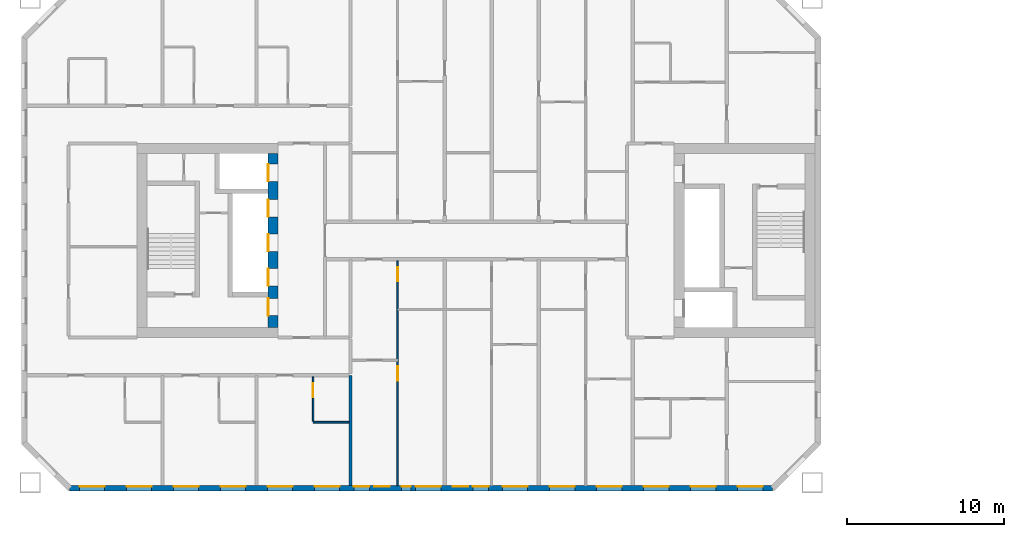
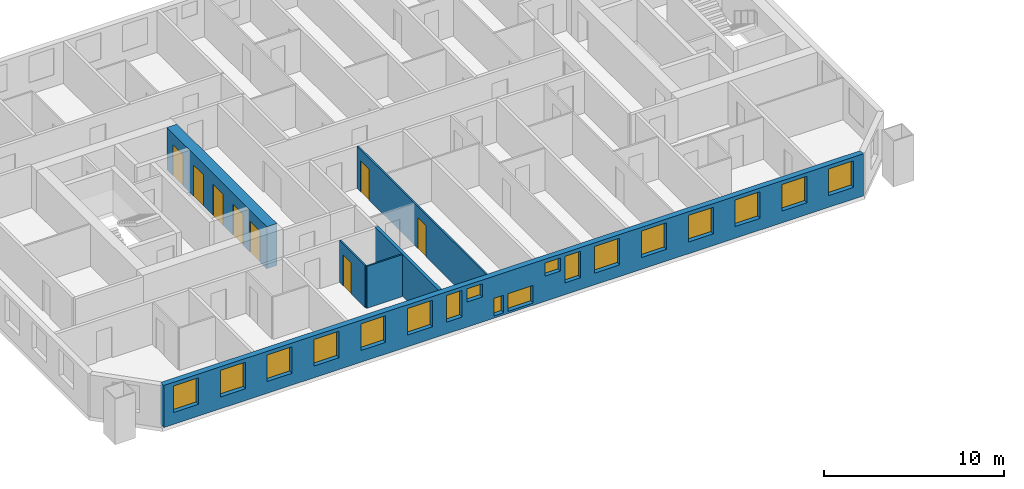
# One storey, part 3 of 16: 18 windows, 8 doors, 6 walls, 26 openings.
"""IFC4 building model written with IfcOpenShell, lengths in metres."""

from ifc_helpers import new_model, si_unit, direction, frame, frame_2d, origin, place, context, subcontext, project, spatial, rectangle, extrude, material, layer, layer_set, type_object, element, fill, save


model = new_model("IFC4")

# Units and contexts
model_context = context("Model", 3, precision=1e-05, world=origin(), true_north=direction((0.0, 1.0)))
body_context = subcontext(model_context, "Body", "Model", "MODEL_VIEW")
ifc_project = project(units=[si_unit("LENGTHUNIT", "METRE"), si_unit("AREAUNIT", "SQUARE_METRE"), si_unit("VOLUMEUNIT", "CUBIC_METRE"), si_unit("PLANEANGLEUNIT", "RADIAN"), si_unit("MASSUNIT", "GRAM", prefix="KILO")], contexts=[model_context])

# Site, building, storey
site_placement = place(None, origin())
site = spatial("IfcSite", under=ifc_project, at=site_placement, CompositionType="ELEMENT")
building_placement = place(site_placement, origin())
building = spatial("IfcBuilding", under=site, at=building_placement, Name="Tuart Gate Housing", CompositionType="ELEMENT")
storey_placement = place(building_placement, frame((0.0, 0.0, 111.89990234375)))
storey = spatial("IfcBuildingStorey", under=building, at=storey_placement, Name="L31", CompositionType="ELEMENT", Elevation=111.89990234375)

# Wall, openings, windows
ifc_material_1 = material(Name="Brick", Category="masonry")
ifc_layer_1 = layer(ifc_material_1, 0.360107421875)
ifc_layer_set_1 = layer_set([ifc_layer_1], Name="Brick pier and spandrel wall 360")
wall_type_1 = type_object("IfcWallType", Name="Brick pier and spandrel wall 360", PredefinedType="STANDARD", material=ifc_layer_set_1)
wall_1_placement = place(storey_placement, frame((28.07470703125, 54.179931640625, 0.0), z_axis=(0.0, 0.0, 1.0), x_axis=(1.0, 0.0, 0.0)))
wall_1 = element("IfcWall", 1, at=wall_1_placement, inside=storey, type_object=wall_type_1, Name="External wall A-S L31", PredefinedType="STANDARD", context=body_context, shape_type="SweptSolid", body=[
    extrude(rectangle(XDim=44.850830078125, YDim=0.360107421875, at=frame_2d((22.42529296875, 0.0))), origin(), (0.0, 0.0, 1.0), 2.85009765625),
])
opening_1_placement = place(wall_1_placement, frame((0.62548828125, 0.0, 0.800048828125)))
opening_1 = element("IfcOpeningElement", 2, at=opening_1_placement, cuts=wall_1, Name="Opening W1", PredefinedType="OPENING", context=body_context, shape_type="SweptSolid", body=[
    extrude(rectangle(XDim=1.60009765625, YDim=1.800048828125, at=frame_2d((0.800048828125, 0.89990234375))), frame((0.0, 0.18994140625, 0.0), z_axis=(0.0, -1.0, 0.0), x_axis=(1.0, 0.0, 0.0)), (0.0, 0.0, 1.0), 0.380126953125),
])
opening_2_placement = place(wall_1_placement, frame((3.62548828125, 0.0, 0.800048828125)))
opening_2 = element("IfcOpeningElement", 3, at=opening_2_placement, cuts=wall_1, Name="Opening W1", PredefinedType="OPENING", context=body_context, shape_type="SweptSolid", body=[
    extrude(rectangle(XDim=1.60009765625, YDim=1.800048828125, at=frame_2d((0.800048828125, 0.89990234375))), frame((0.0, 0.18994140625, 0.0), z_axis=(0.0, -1.0, 0.0), x_axis=(1.0, 0.0, 0.0)), (0.0, 0.0, 1.0), 0.380126953125),
])
opening_3_placement = place(wall_1_placement, frame((6.62548828125, 0.0, 0.800048828125)))
opening_3 = element("IfcOpeningElement", 4, at=opening_3_placement, cuts=wall_1, Name="Opening W1", PredefinedType="OPENING", context=body_context, shape_type="SweptSolid", body=[
    extrude(rectangle(XDim=1.60009765625, YDim=1.800048828125, at=frame_2d((0.800048828125, 0.89990234375))), frame((0.0, 0.18994140625, 0.0), z_axis=(0.0, -1.0, 0.0), x_axis=(1.0, 0.0, 0.0)), (0.0, 0.0, 1.0), 0.380126953125),
])
opening_4_placement = place(wall_1_placement, frame((9.62548828125, 0.0, 0.800048828125)))
opening_4 = element("IfcOpeningElement", 5, at=opening_4_placement, cuts=wall_1, Name="Opening W1", PredefinedType="OPENING", context=body_context, shape_type="SweptSolid", body=[
    extrude(rectangle(XDim=1.60009765625, YDim=1.800048828125, at=frame_2d((0.800048828125, 0.89990234375))), frame((0.0, 0.18994140625, 0.0), z_axis=(0.0, -1.0, 0.0), x_axis=(1.0, 0.0, 0.0)), (0.0, 0.0, 1.0), 0.380126953125),
])
opening_5_placement = place(wall_1_placement, frame((12.62548828125, 0.0, 0.800048828125)))
opening_5 = element("IfcOpeningElement", 6, at=opening_5_placement, cuts=wall_1, Name="Opening W1", PredefinedType="OPENING", context=body_context, shape_type="SweptSolid", body=[
    extrude(rectangle(XDim=1.60009765625, YDim=1.800048828125, at=frame_2d((0.800048828125, 0.89990234375))), frame((0.0, 0.18994140625, 0.0), z_axis=(0.0, -1.0, 0.0), x_axis=(1.0, 0.0, 0.0)), (0.0, 0.0, 1.0), 0.380126953125),
])
opening_6_placement = place(wall_1_placement, frame((15.62548828125, 0.0, 0.800048828125)))
opening_6 = element("IfcOpeningElement", 7, at=opening_6_placement, cuts=wall_1, Name="Opening W1", PredefinedType="OPENING", context=body_context, shape_type="SweptSolid", body=[
    extrude(rectangle(XDim=1.60009765625, YDim=1.800048828125, at=frame_2d((0.800048828125, 0.89990234375))), frame((0.0, 0.18994140625, 0.0), z_axis=(0.0, -1.0, 0.0), x_axis=(1.0, 0.0, 0.0)), (0.0, 0.0, 1.0), 0.380126953125),
])
opening_7_placement = place(wall_1_placement, frame((18.12548828125, 0.0, 0.800048828125)))
opening_7 = element("IfcOpeningElement", 8, at=opening_7_placement, cuts=wall_1, Name="Opening W1C", PredefinedType="OPENING", context=body_context, shape_type="SweptSolid", body=[
    extrude(rectangle(XDim=1.0, YDim=1.800048828125, at=frame_2d((0.5, 0.89990234375))), frame((0.0, 0.18994140625, 0.0), z_axis=(0.0, -1.0, 0.0), x_axis=(1.0, 0.0, 0.0)), (0.0, 0.0, 1.0), 0.380126953125),
])
opening_8_placement = place(wall_1_placement, frame((21.17529296875, 0.0, 0.14990234375)))
opening_8 = element("IfcOpeningElement", 9, at=opening_8_placement, cuts=wall_1, Name="Opening W1Q", PredefinedType="OPENING", context=body_context, shape_type="SweptSolid", body=[
    extrude(rectangle(XDim=0.60009765625, YDim=1.199951171875, at=frame_2d((0.300048828125, 0.60009765625))), frame((0.0, 0.18994140625, 0.0), z_axis=(0.0, -1.0, 0.0), x_axis=(1.0, 0.0, 0.0)), (0.0, 0.0, 1.0), 0.380126953125),
])
opening_9_placement = place(wall_1_placement, frame((24.42529296875, 0.0, 1.699951171875)))
opening_9 = element("IfcOpeningElement", 10, at=opening_9_placement, cuts=wall_1, Name="Opening W1U", PredefinedType="OPENING", context=body_context, shape_type="SweptSolid", body=[
    extrude(rectangle(XDim=1.0, YDim=0.89990234375, at=frame_2d((0.5, 0.449951171875))), frame((0.0, 0.18994140625, 0.0), z_axis=(0.0, -1.0, 0.0), x_axis=(1.0, 0.0, 0.0)), (0.0, 0.0, 1.0), 0.380126953125),
])
opening_10_placement = place(wall_1_placement, frame((27.62548828125, 0.0, 0.800048828125)))
opening_10 = element("IfcOpeningElement", 11, at=opening_10_placement, cuts=wall_1, Name="Opening W1", PredefinedType="OPENING", context=body_context, shape_type="SweptSolid", body=[
    extrude(rectangle(XDim=1.60009765625, YDim=1.800048828125, at=frame_2d((0.800048828125, 0.89990234375))), frame((0.0, 0.18994140625, 0.0), z_axis=(0.0, -1.0, 0.0), x_axis=(1.0, 0.0, 0.0)), (0.0, 0.0, 1.0), 0.380126953125),
])
opening_11_placement = place(wall_1_placement, frame((30.62548828125, 0.0, 0.800048828125)))
opening_11 = element("IfcOpeningElement", 12, at=opening_11_placement, cuts=wall_1, Name="Opening W1", PredefinedType="OPENING", context=body_context, shape_type="SweptSolid", body=[
    extrude(rectangle(XDim=1.60009765625, YDim=1.800048828125, at=frame_2d((0.800048828125, 0.89990234375))), frame((0.0, 0.18994140625, 0.0), z_axis=(0.0, -1.0, 0.0), x_axis=(1.0, 0.0, 0.0)), (0.0, 0.0, 1.0), 0.380126953125),
])
opening_12_placement = place(wall_1_placement, frame((33.62548828125, 0.0, 0.800048828125)))
opening_12 = element("IfcOpeningElement", 13, at=opening_12_placement, cuts=wall_1, Name="Opening W1", PredefinedType="OPENING", context=body_context, shape_type="SweptSolid", body=[
    extrude(rectangle(XDim=1.60009765625, YDim=1.800048828125, at=frame_2d((0.800048828125, 0.89990234375))), frame((0.0, 0.18994140625, 0.0), z_axis=(0.0, -1.0, 0.0), x_axis=(1.0, 0.0, 0.0)), (0.0, 0.0, 1.0), 0.380126953125),
])
opening_13_placement = place(wall_1_placement, frame((36.62548828125, 0.0, 0.800048828125)))
opening_13 = element("IfcOpeningElement", 14, at=opening_13_placement, cuts=wall_1, Name="Opening W1", PredefinedType="OPENING", context=body_context, shape_type="SweptSolid", body=[
    extrude(rectangle(XDim=1.60009765625, YDim=1.800048828125, at=frame_2d((0.800048828125, 0.89990234375))), frame((0.0, 0.18994140625, 0.0), z_axis=(0.0, -1.0, 0.0), x_axis=(1.0, 0.0, 0.0)), (0.0, 0.0, 1.0), 0.380126953125),
])
opening_14_placement = place(wall_1_placement, frame((39.62548828125, 0.0, 0.800048828125)))
opening_14 = element("IfcOpeningElement", 15, at=opening_14_placement, cuts=wall_1, Name="Opening W1", PredefinedType="OPENING", context=body_context, shape_type="SweptSolid", body=[
    extrude(rectangle(XDim=1.60009765625, YDim=1.800048828125, at=frame_2d((0.800048828125, 0.89990234375))), frame((0.0, 0.18994140625, 0.0), z_axis=(0.0, -1.0, 0.0), x_axis=(1.0, 0.0, 0.0)), (0.0, 0.0, 1.0), 0.380126953125),
])
opening_15_placement = place(wall_1_placement, frame((42.62548828125, 0.0, 0.800048828125)))
opening_15 = element("IfcOpeningElement", 16, at=opening_15_placement, cuts=wall_1, Name="Opening W1", PredefinedType="OPENING", context=body_context, shape_type="SweptSolid", body=[
    extrude(rectangle(XDim=1.60009765625, YDim=1.800048828125, at=frame_2d((0.800048828125, 0.89990234375))), frame((0.0, 0.18994140625, 0.0), z_axis=(0.0, -1.0, 0.0), x_axis=(1.0, 0.0, 0.0)), (0.0, 0.0, 1.0), 0.380126953125),
])
opening_16_placement = place(wall_1_placement, frame((19.42529296875, 0.0, 1.699951171875)))
opening_16 = element("IfcOpeningElement", 17, at=opening_16_placement, cuts=wall_1, Name="Opening W1U", PredefinedType="OPENING", context=body_context, shape_type="SweptSolid", body=[
    extrude(rectangle(XDim=1.0, YDim=0.89990234375, at=frame_2d((0.5, 0.449951171875))), frame((0.0, 0.18994140625, 0.0), z_axis=(0.0, -1.0, 0.0), x_axis=(1.0, 0.0, 0.0)), (0.0, 0.0, 1.0), 0.380126953125),
])
opening_17_placement = place(wall_1_placement, frame((22.075439453125, 0.0, 0.14990234375)))
opening_17 = element("IfcOpeningElement", 18, at=opening_17_placement, cuts=wall_1, Name="Opening W1L", PredefinedType="OPENING", context=body_context, shape_type="SweptSolid", body=[
    extrude(rectangle(XDim=1.60009765625, YDim=1.199951171875, at=frame_2d((0.800048828125, 0.60009765625))), frame((0.0, 0.18994140625, 0.0), z_axis=(0.0, -1.0, 0.0), x_axis=(1.0, 0.0, 0.0)), (0.0, 0.0, 1.0), 0.380126953125),
])
opening_18_placement = place(wall_1_placement, frame((25.725341796875, 0.0, 0.800048828125)))
opening_18 = element("IfcOpeningElement", 19, at=opening_18_placement, cuts=wall_1, Name="Opening W1C", PredefinedType="OPENING", context=body_context, shape_type="SweptSolid", body=[
    extrude(rectangle(XDim=1.0, YDim=1.800048828125, at=frame_2d((0.5, 0.89990234375))), frame((0.0, 0.18994140625, 0.0), z_axis=(0.0, -1.0, 0.0), x_axis=(1.0, 0.0, 0.0)), (0.0, 0.0, 1.0), 0.380126953125),
])
ifc_material_2 = material(Name="Aluminium frame with clear glass", Category="aluminium")
window_type_1 = type_object("IfcWindowType", Name="Punched window 1000 x 1800", PartitioningType="SINGLE_PANEL", PredefinedType="WINDOW", material=ifc_material_2)
window_1_placement = place(opening_7_placement, origin())
window_1 = element("IfcWindow", 20, at=window_1_placement, inside=storey, type_object=window_type_1, Name="Window W1C", OverallHeight=1.800048828125, OverallWidth=1.0, PartitioningType="SINGLE_PANEL", PredefinedType="WINDOW", context=body_context, shape_type="SweptSolid", body=[
    extrude(rectangle(XDim=1.0, YDim=1.800048828125, at=frame_2d((0.5, 0.89990234375))), frame((0.0, 0.150146484375, 0.0), z_axis=(0.0, -1.0, 0.0), x_axis=(1.0, 0.0, 0.0)), (0.0, 0.0, 1.0), 0.06005859375),
])
fill(opening_7, window_1)
window_2_placement = place(opening_18_placement, origin())
window_2 = element("IfcWindow", 21, at=window_2_placement, inside=storey, type_object=window_type_1, Name="Window W1C", OverallHeight=1.800048828125, OverallWidth=1.0, PartitioningType="SINGLE_PANEL", PredefinedType="WINDOW", context=body_context, shape_type="SweptSolid", body=[
    extrude(rectangle(XDim=1.0, YDim=1.800048828125, at=frame_2d((0.5, 0.89990234375))), frame((0.0, 0.150146484375, 0.0), z_axis=(0.0, -1.0, 0.0), x_axis=(1.0, 0.0, 0.0)), (0.0, 0.0, 1.0), 0.06005859375),
])
fill(opening_18, window_2)
ifc_material_3 = material(Name="Aluminium frame with clear glass", Category="aluminium")
window_type_2 = type_object("IfcWindowType", Name="Punched window 1000 x 900", PartitioningType="SINGLE_PANEL", PredefinedType="WINDOW", material=ifc_material_3)
window_3_placement = place(opening_9_placement, origin())
window_3 = element("IfcWindow", 22, at=window_3_placement, inside=storey, type_object=window_type_2, Name="Window W1U", OverallHeight=0.89990234375, OverallWidth=1.0, PartitioningType="SINGLE_PANEL", PredefinedType="WINDOW", context=body_context, shape_type="SweptSolid", body=[
    extrude(rectangle(XDim=1.0, YDim=0.89990234375, at=frame_2d((0.5, 0.449951171875))), frame((0.0, 0.150146484375, 0.0), z_axis=(0.0, -1.0, 0.0), x_axis=(1.0, 0.0, 0.0)), (0.0, 0.0, 1.0), 0.06005859375),
])
fill(opening_9, window_3)
window_4_placement = place(opening_16_placement, origin())
window_4 = element("IfcWindow", 23, at=window_4_placement, inside=storey, type_object=window_type_2, Name="Window W1U", OverallHeight=0.89990234375, OverallWidth=1.0, PartitioningType="SINGLE_PANEL", PredefinedType="WINDOW", context=body_context, shape_type="SweptSolid", body=[
    extrude(rectangle(XDim=1.0, YDim=0.89990234375, at=frame_2d((0.5, 0.449951171875))), frame((0.0, 0.150146484375, 0.0), z_axis=(0.0, -1.0, 0.0), x_axis=(1.0, 0.0, 0.0)), (0.0, 0.0, 1.0), 0.06005859375),
])
fill(opening_16, window_4)
ifc_material_4 = material(Name="Aluminium frame with clear glass", Category="aluminium")
window_type_3 = type_object("IfcWindowType", Name="Punched window 1600 x 1200", PartitioningType="SINGLE_PANEL", PredefinedType="WINDOW", material=ifc_material_4)
window_5_placement = place(opening_17_placement, origin())
window_5 = element("IfcWindow", 24, at=window_5_placement, inside=storey, type_object=window_type_3, Name="Window W1L", OverallHeight=1.199951171875, OverallWidth=1.60009765625, PartitioningType="SINGLE_PANEL", PredefinedType="WINDOW", context=body_context, shape_type="SweptSolid", body=[
    extrude(rectangle(XDim=1.60009765625, YDim=1.199951171875, at=frame_2d((0.800048828125, 0.60009765625))), frame((0.0, 0.150146484375, 0.0), z_axis=(0.0, -1.0, 0.0), x_axis=(1.0, 0.0, 0.0)), (0.0, 0.0, 1.0), 0.06005859375),
])
fill(opening_17, window_5)
ifc_material_5 = material(Name="Aluminium frame with clear glass", Category="aluminium")
window_type_4 = type_object("IfcWindowType", Name="Punched window 1600 x 1800", PartitioningType="SINGLE_PANEL", PredefinedType="WINDOW", material=ifc_material_5)
window_6_placement = place(opening_1_placement, origin())
window_6 = element("IfcWindow", 25, at=window_6_placement, inside=storey, type_object=window_type_4, Name="Window W1", OverallHeight=1.800048828125, OverallWidth=1.60009765625, PartitioningType="SINGLE_PANEL", PredefinedType="WINDOW", context=body_context, shape_type="SweptSolid", body=[
    extrude(rectangle(XDim=1.60009765625, YDim=1.800048828125, at=frame_2d((0.800048828125, 0.89990234375))), frame((0.0, 0.150146484375, 0.0), z_axis=(0.0, -1.0, 0.0), x_axis=(1.0, 0.0, 0.0)), (0.0, 0.0, 1.0), 0.06005859375),
])
fill(opening_1, window_6)
window_7_placement = place(opening_2_placement, origin())
window_7 = element("IfcWindow", 26, at=window_7_placement, inside=storey, type_object=window_type_4, Name="Window W1", OverallHeight=1.800048828125, OverallWidth=1.60009765625, PartitioningType="SINGLE_PANEL", PredefinedType="WINDOW", context=body_context, shape_type="SweptSolid", body=[
    extrude(rectangle(XDim=1.60009765625, YDim=1.800048828125, at=frame_2d((0.800048828125, 0.89990234375))), frame((0.0, 0.150146484375, 0.0), z_axis=(0.0, -1.0, 0.0), x_axis=(1.0, 0.0, 0.0)), (0.0, 0.0, 1.0), 0.06005859375),
])
fill(opening_2, window_7)
window_8_placement = place(opening_3_placement, origin())
window_8 = element("IfcWindow", 27, at=window_8_placement, inside=storey, type_object=window_type_4, Name="Window W1", OverallHeight=1.800048828125, OverallWidth=1.60009765625, PartitioningType="SINGLE_PANEL", PredefinedType="WINDOW", context=body_context, shape_type="SweptSolid", body=[
    extrude(rectangle(XDim=1.60009765625, YDim=1.800048828125, at=frame_2d((0.800048828125, 0.89990234375))), frame((0.0, 0.150146484375, 0.0), z_axis=(0.0, -1.0, 0.0), x_axis=(1.0, 0.0, 0.0)), (0.0, 0.0, 1.0), 0.06005859375),
])
fill(opening_3, window_8)
window_9_placement = place(opening_4_placement, origin())
window_9 = element("IfcWindow", 28, at=window_9_placement, inside=storey, type_object=window_type_4, Name="Window W1", OverallHeight=1.800048828125, OverallWidth=1.60009765625, PartitioningType="SINGLE_PANEL", PredefinedType="WINDOW", context=body_context, shape_type="SweptSolid", body=[
    extrude(rectangle(XDim=1.60009765625, YDim=1.800048828125, at=frame_2d((0.800048828125, 0.89990234375))), frame((0.0, 0.150146484375, 0.0), z_axis=(0.0, -1.0, 0.0), x_axis=(1.0, 0.0, 0.0)), (0.0, 0.0, 1.0), 0.06005859375),
])
fill(opening_4, window_9)
window_10_placement = place(opening_5_placement, origin())
window_10 = element("IfcWindow", 29, at=window_10_placement, inside=storey, type_object=window_type_4, Name="Window W1", OverallHeight=1.800048828125, OverallWidth=1.60009765625, PartitioningType="SINGLE_PANEL", PredefinedType="WINDOW", context=body_context, shape_type="SweptSolid", body=[
    extrude(rectangle(XDim=1.60009765625, YDim=1.800048828125, at=frame_2d((0.800048828125, 0.89990234375))), frame((0.0, 0.150146484375, 0.0), z_axis=(0.0, -1.0, 0.0), x_axis=(1.0, 0.0, 0.0)), (0.0, 0.0, 1.0), 0.06005859375),
])
fill(opening_5, window_10)
window_11_placement = place(opening_6_placement, origin())
window_11 = element("IfcWindow", 30, at=window_11_placement, inside=storey, type_object=window_type_4, Name="Window W1", OverallHeight=1.800048828125, OverallWidth=1.60009765625, PartitioningType="SINGLE_PANEL", PredefinedType="WINDOW", context=body_context, shape_type="SweptSolid", body=[
    extrude(rectangle(XDim=1.60009765625, YDim=1.800048828125, at=frame_2d((0.800048828125, 0.89990234375))), frame((0.0, 0.150146484375, 0.0), z_axis=(0.0, -1.0, 0.0), x_axis=(1.0, 0.0, 0.0)), (0.0, 0.0, 1.0), 0.06005859375),
])
fill(opening_6, window_11)
window_12_placement = place(opening_10_placement, origin())
window_12 = element("IfcWindow", 31, at=window_12_placement, inside=storey, type_object=window_type_4, Name="Window W1", OverallHeight=1.800048828125, OverallWidth=1.60009765625, PartitioningType="SINGLE_PANEL", PredefinedType="WINDOW", context=body_context, shape_type="SweptSolid", body=[
    extrude(rectangle(XDim=1.60009765625, YDim=1.800048828125, at=frame_2d((0.800048828125, 0.89990234375))), frame((0.0, 0.150146484375, 0.0), z_axis=(0.0, -1.0, 0.0), x_axis=(1.0, 0.0, 0.0)), (0.0, 0.0, 1.0), 0.06005859375),
])
fill(opening_10, window_12)
window_13_placement = place(opening_11_placement, origin())
window_13 = element("IfcWindow", 32, at=window_13_placement, inside=storey, type_object=window_type_4, Name="Window W1", OverallHeight=1.800048828125, OverallWidth=1.60009765625, PartitioningType="SINGLE_PANEL", PredefinedType="WINDOW", context=body_context, shape_type="SweptSolid", body=[
    extrude(rectangle(XDim=1.60009765625, YDim=1.800048828125, at=frame_2d((0.800048828125, 0.89990234375))), frame((0.0, 0.150146484375, 0.0), z_axis=(0.0, -1.0, 0.0), x_axis=(1.0, 0.0, 0.0)), (0.0, 0.0, 1.0), 0.06005859375),
])
fill(opening_11, window_13)
window_14_placement = place(opening_12_placement, origin())
window_14 = element("IfcWindow", 33, at=window_14_placement, inside=storey, type_object=window_type_4, Name="Window W1", OverallHeight=1.800048828125, OverallWidth=1.60009765625, PartitioningType="SINGLE_PANEL", PredefinedType="WINDOW", context=body_context, shape_type="SweptSolid", body=[
    extrude(rectangle(XDim=1.60009765625, YDim=1.800048828125, at=frame_2d((0.800048828125, 0.89990234375))), frame((0.0, 0.150146484375, 0.0), z_axis=(0.0, -1.0, 0.0), x_axis=(1.0, 0.0, 0.0)), (0.0, 0.0, 1.0), 0.06005859375),
])
fill(opening_12, window_14)
window_15_placement = place(opening_13_placement, origin())
window_15 = element("IfcWindow", 34, at=window_15_placement, inside=storey, type_object=window_type_4, Name="Window W1", OverallHeight=1.800048828125, OverallWidth=1.60009765625, PartitioningType="SINGLE_PANEL", PredefinedType="WINDOW", context=body_context, shape_type="SweptSolid", body=[
    extrude(rectangle(XDim=1.60009765625, YDim=1.800048828125, at=frame_2d((0.800048828125, 0.89990234375))), frame((0.0, 0.150146484375, 0.0), z_axis=(0.0, -1.0, 0.0), x_axis=(1.0, 0.0, 0.0)), (0.0, 0.0, 1.0), 0.06005859375),
])
fill(opening_13, window_15)
window_16_placement = place(opening_14_placement, origin())
window_16 = element("IfcWindow", 35, at=window_16_placement, inside=storey, type_object=window_type_4, Name="Window W1", OverallHeight=1.800048828125, OverallWidth=1.60009765625, PartitioningType="SINGLE_PANEL", PredefinedType="WINDOW", context=body_context, shape_type="SweptSolid", body=[
    extrude(rectangle(XDim=1.60009765625, YDim=1.800048828125, at=frame_2d((0.800048828125, 0.89990234375))), frame((0.0, 0.150146484375, 0.0), z_axis=(0.0, -1.0, 0.0), x_axis=(1.0, 0.0, 0.0)), (0.0, 0.0, 1.0), 0.06005859375),
])
fill(opening_14, window_16)
window_17_placement = place(opening_15_placement, origin())
window_17 = element("IfcWindow", 36, at=window_17_placement, inside=storey, type_object=window_type_4, Name="Window W1", OverallHeight=1.800048828125, OverallWidth=1.60009765625, PartitioningType="SINGLE_PANEL", PredefinedType="WINDOW", context=body_context, shape_type="SweptSolid", body=[
    extrude(rectangle(XDim=1.60009765625, YDim=1.800048828125, at=frame_2d((0.800048828125, 0.89990234375))), frame((0.0, 0.150146484375, 0.0), z_axis=(0.0, -1.0, 0.0), x_axis=(1.0, 0.0, 0.0)), (0.0, 0.0, 1.0), 0.06005859375),
])
fill(opening_15, window_17)
ifc_material_6 = material(Name="Aluminium frame with clear glass", Category="aluminium")
window_type_5 = type_object("IfcWindowType", Name="Punched window 600 x 1200", PartitioningType="SINGLE_PANEL", PredefinedType="WINDOW", material=ifc_material_6)
window_18_placement = place(opening_8_placement, origin())
window_18 = element("IfcWindow", 37, at=window_18_placement, inside=storey, type_object=window_type_5, Name="Window W1Q", OverallHeight=1.199951171875, OverallWidth=0.60009765625, PartitioningType="SINGLE_PANEL", PredefinedType="WINDOW", context=body_context, shape_type="SweptSolid", body=[
    extrude(rectangle(XDim=0.60009765625, YDim=1.199951171875, at=frame_2d((0.300048828125, 0.60009765625))), frame((0.0, 0.150146484375, 0.0), z_axis=(0.0, -1.0, 0.0), x_axis=(1.0, 0.0, 0.0)), (0.0, 0.0, 1.0), 0.06005859375),
])
fill(opening_8, window_18)

# Wall, openings, doors
ifc_material_7 = material(Name="Concrete C50", Category="concrete")
ifc_layer_2 = layer(ifc_material_7, 0.64990234375)
ifc_layer_set_2 = layer_set([ifc_layer_2], Name="Core wall 650 C50")
wall_type_2 = type_object("IfcWallType", Name="Core wall 650 C50", PredefinedType="SHEAR", material=ifc_layer_set_2)
wall_2_placement = place(storey_placement, frame((41.034912109375, 75.550048828125, 0.0), z_axis=(0.0, 0.0, 1.0), x_axis=(0.0, -1.0, 0.0)))
wall_2 = element("IfcWall", 38, at=wall_2_placement, inside=storey, type_object=wall_type_2, Name="Core wall AK front", PredefinedType="SHEAR", context=body_context, shape_type="SweptSolid", body=[
    extrude(rectangle(XDim=11.10009765625, YDim=0.64990234375, at=frame_2d((5.550048828125, 0.0))), origin(), (0.0, 0.0, 1.0), 2.85009765625),
])
opening_19_placement = place(wall_2_placement, frame((0.675048828125, 0.0, 0.0)))
opening_19 = element("IfcOpeningElement", 39, at=opening_19_placement, cuts=wall_2, Name="Opening LD-FA2", PredefinedType="OPENING", context=body_context, shape_type="SweptSolid", body=[
    extrude(rectangle(XDim=1.10009765625, YDim=2.10009765625, at=frame_2d((0.550048828125, 1.050048828125))), frame((0.0, 0.3349609375, 0.0), z_axis=(0.0, -1.0, 0.0), x_axis=(1.0, 0.0, 0.0)), (0.0, 0.0, 1.0), 0.669921875),
])
opening_20_placement = place(wall_2_placement, frame((2.949951171875, 0.0, 0.0)))
opening_20 = element("IfcOpeningElement", 40, at=opening_20_placement, cuts=wall_2, Name="Opening LD-LA4", PredefinedType="OPENING", context=body_context, shape_type="SweptSolid", body=[
    extrude(rectangle(XDim=1.10009765625, YDim=2.10009765625, at=frame_2d((0.550048828125, 1.050048828125))), frame((0.0, 0.3349609375, 0.0), z_axis=(0.0, -1.0, 0.0), x_axis=(1.0, 0.0, 0.0)), (0.0, 0.0, 1.0), 0.669921875),
])
opening_21_placement = place(wall_2_placement, frame((5.14990234375, 0.0, 0.0)))
opening_21 = element("IfcOpeningElement", 41, at=opening_21_placement, cuts=wall_2, Name="Opening LD-LA5", PredefinedType="OPENING", context=body_context, shape_type="SweptSolid", body=[
    extrude(rectangle(XDim=1.10009765625, YDim=2.10009765625, at=frame_2d((0.550048828125, 1.050048828125))), frame((0.0, 0.3349609375, 0.0), z_axis=(0.0, -1.0, 0.0), x_axis=(1.0, 0.0, 0.0)), (0.0, 0.0, 1.0), 0.669921875),
])
opening_22_placement = place(wall_2_placement, frame((7.35009765625, 0.0, 0.0)))
opening_22 = element("IfcOpeningElement", 42, at=opening_22_placement, cuts=wall_2, Name="Opening LD-LA6", PredefinedType="OPENING", context=body_context, shape_type="SweptSolid", body=[
    extrude(rectangle(XDim=1.10009765625, YDim=2.10009765625, at=frame_2d((0.550048828125, 1.050048828125))), frame((0.0, 0.3349609375, 0.0), z_axis=(0.0, -1.0, 0.0), x_axis=(1.0, 0.0, 0.0)), (0.0, 0.0, 1.0), 0.669921875),
])
opening_23_placement = place(wall_2_placement, frame((9.25, 0.0, 0.0)))
opening_23 = element("IfcOpeningElement", 43, at=opening_23_placement, cuts=wall_2, Name="Opening D1207", PredefinedType="OPENING", context=body_context, shape_type="SweptSolid", body=[
    extrude(rectangle(XDim=1.10009765625, YDim=2.10009765625, at=frame_2d((0.550048828125, 1.050048828125))), frame((0.0, 0.3349609375, 0.0), z_axis=(0.0, -1.0, 0.0), x_axis=(1.0, 0.0, 0.0)), (0.0, 0.0, 1.0), 0.669921875),
])
ifc_material_8 = material(Name="Stainless steel", Category="steel")
door_type_1 = type_object("IfcDoorType", Name="Landing door 1100 x 2100", OperationType="DOUBLE_DOOR_SLIDING", PredefinedType="DOOR", material=ifc_material_8)
door_1_placement = place(opening_19_placement, origin())
door_1 = element("IfcDoor", 44, at=door_1_placement, inside=storey, type_object=door_type_1, Name="Lift landing door FA2", OperationType="DOUBLE_DOOR_SLIDING", OverallHeight=2.10009765625, OverallWidth=1.10009765625, PredefinedType="DOOR", context=body_context, shape_type="SweptSolid", body=[
    extrude(rectangle(XDim=1.10009765625, YDim=2.10009765625, at=frame_2d((0.550048828125, 1.050048828125))), frame((0.0, -0.259765625, 0.0), z_axis=(0.0, -1.0, 0.0), x_axis=(1.0, 0.0, 0.0)), (0.0, 0.0, 1.0), 0.050048828125),
])
fill(opening_19, door_1)
door_2_placement = place(opening_20_placement, origin())
door_2 = element("IfcDoor", 45, at=door_2_placement, inside=storey, type_object=door_type_1, Name="Lift landing door LA4", OperationType="DOUBLE_DOOR_SLIDING", OverallHeight=2.10009765625, OverallWidth=1.10009765625, PredefinedType="DOOR", context=body_context, shape_type="SweptSolid", body=[
    extrude(rectangle(XDim=1.10009765625, YDim=2.10009765625, at=frame_2d((0.550048828125, 1.050048828125))), frame((0.0, -0.259765625, 0.0), z_axis=(0.0, -1.0, 0.0), x_axis=(1.0, 0.0, 0.0)), (0.0, 0.0, 1.0), 0.050048828125),
])
fill(opening_20, door_2)
door_3_placement = place(opening_21_placement, origin())
door_3 = element("IfcDoor", 46, at=door_3_placement, inside=storey, type_object=door_type_1, Name="Lift landing door LA5", OperationType="DOUBLE_DOOR_SLIDING", OverallHeight=2.10009765625, OverallWidth=1.10009765625, PredefinedType="DOOR", context=body_context, shape_type="SweptSolid", body=[
    extrude(rectangle(XDim=1.10009765625, YDim=2.10009765625, at=frame_2d((0.550048828125, 1.050048828125))), frame((0.0, -0.259765625, 0.0), z_axis=(0.0, -1.0, 0.0), x_axis=(1.0, 0.0, 0.0)), (0.0, 0.0, 1.0), 0.050048828125),
])
fill(opening_21, door_3)
door_4_placement = place(opening_22_placement, origin())
door_4 = element("IfcDoor", 47, at=door_4_placement, inside=storey, type_object=door_type_1, Name="Lift landing door LA6", OperationType="DOUBLE_DOOR_SLIDING", OverallHeight=2.10009765625, OverallWidth=1.10009765625, PredefinedType="DOOR", context=body_context, shape_type="SweptSolid", body=[
    extrude(rectangle(XDim=1.10009765625, YDim=2.10009765625, at=frame_2d((0.550048828125, 1.050048828125))), frame((0.0, -0.259765625, 0.0), z_axis=(0.0, -1.0, 0.0), x_axis=(1.0, 0.0, 0.0)), (0.0, 0.0, 1.0), 0.050048828125),
])
fill(opening_22, door_4)
ifc_material_9 = material(Name="Steel fire door", Category="steel")
door_type_2 = type_object("IfcDoorType", Name="Lobby door 1100 x 2100 RH", OperationType="SINGLE_SWING_RIGHT", PredefinedType="DOOR", material=ifc_material_9)
door_5_placement = place(opening_23_placement, frame((1.10009765625, 0.0, 0.0), z_axis=(0.0, 0.0, 1.0), x_axis=(-1.0, 0.0, 0.0)))
door_5 = element("IfcDoor", 48, at=door_5_placement, inside=storey, type_object=door_type_2, Name="Lobby entry door AK.EN", OperationType="SINGLE_SWING_RIGHT", OverallHeight=2.10009765625, OverallWidth=1.10009765625, PredefinedType="DOOR", context=body_context, shape_type="SweptSolid", body=[
    extrude(rectangle(XDim=1.10009765625, YDim=2.10009765625, at=frame_2d((0.550048828125, 1.050048828125))), frame((0.0, 0.309814453125, 0.0), z_axis=(0.0, -1.0, 0.0), x_axis=(1.0, 0.0, 0.0)), (0.0, 0.0, 1.0), 0.050048828125),
])
fill(opening_23, door_5)

# Wall
ifc_material_10 = material(Name="Gypsum board on steel studs", Category="steel")
ifc_layer_3 = layer(ifc_material_10, 0.10009765625)
ifc_layer_set_3 = layer_set([ifc_layer_3], Name="Partition 100")
wall_type_3 = type_object("IfcWallType", Name="Partition 100", PredefinedType="PARTITIONING", material=ifc_layer_set_3)
wall_3_placement = place(storey_placement, frame((43.60009765625, 58.39990234375, 0.0), z_axis=(0.0, 0.0, 1.0), x_axis=(1.0, 0.0, 0.0)))
element("IfcWall", 49, at=wall_3_placement, inside=storey, type_object=wall_type_3, Name="Partition 100", PredefinedType="PARTITIONING", context=body_context, shape_type="SweptSolid", body=[
    extrude(rectangle(XDim=2.2998046875, YDim=0.10009765625, at=frame_2d((1.14990234375, 0.0))), origin(), (0.0, 0.0, 1.0), 2.85009765625),
])

# Wall, opening, door
wall_4_placement = place(storey_placement, frame((43.60009765625, 58.449951171875, 0.0), z_axis=(0.0, 0.0, 1.0), x_axis=(0.0, 1.0, 0.0)))
wall_4 = element("IfcWall", 50, at=wall_4_placement, inside=storey, type_object=wall_type_3, Name="Partition 100", PredefinedType="PARTITIONING", context=body_context, shape_type="SweptSolid", body=[
    extrude(rectangle(XDim=2.85009765625, YDim=0.10009765625, at=frame_2d((1.425048828125, 0.0))), origin(), (0.0, 0.0, 1.0), 2.85009765625),
])
opening_24_placement = place(wall_4_placement, frame((1.550048828125, 0.0, 0.0)))
opening_24 = element("IfcOpeningElement", 51, at=opening_24_placement, cuts=wall_4, Name="Opening D1234", PredefinedType="OPENING", context=body_context, shape_type="SweptSolid", body=[
    extrude(rectangle(XDim=0.89990234375, YDim=2.10009765625, at=frame_2d((0.449951171875, 1.050048828125))), frame((0.0, 0.06005859375, 0.0), z_axis=(0.0, -1.0, 0.0), x_axis=(1.0, 0.0, 0.0)), (0.0, 0.0, 1.0), 0.1201171875),
])
ifc_material_11 = material(Name="Timber door leaf in steel frame", Category="steel")
door_type_3 = type_object("IfcDoorType", Name="Bathroom door 900", OperationType="SINGLE_SWING_LEFT", PredefinedType="DOOR", material=ifc_material_11)
door_6_placement = place(opening_24_placement, frame((0.89990234375, 0.0, 0.0), z_axis=(0.0, 0.0, 1.0), x_axis=(-1.0, 0.0, 0.0)))
door_6 = element("IfcDoor", 52, at=door_6_placement, inside=storey, type_object=door_type_3, Name="Bathroom door", OperationType="SINGLE_SWING_LEFT", OverallHeight=2.10009765625, OverallWidth=0.89990234375, PredefinedType="DOOR", context=body_context, shape_type="SweptSolid", body=[
    extrude(rectangle(XDim=0.89990234375, YDim=2.10009765625, at=frame_2d((0.449951171875, 1.050048828125))), frame((0.0, 0.025146484375, 0.0), z_axis=(0.0, -1.0, 0.0), x_axis=(1.0, 0.0, 0.0)), (0.0, 0.0, 1.0), 0.050048828125),
])
fill(opening_24, door_6)

# Wall, openings, doors
wall_5_placement = place(storey_placement, frame((49.0, 54.360107421875, 0.0), z_axis=(0.0, 0.0, 1.0), x_axis=(0.0, 1.0, 0.0)))
wall_5 = element("IfcWall", 53, at=wall_5_placement, inside=storey, type_object=wall_type_3, Name="Partition 100", PredefinedType="PARTITIONING", context=body_context, shape_type="SweptSolid", body=[
    extrude(rectangle(XDim=14.33984375, YDim=0.10009765625, at=frame_2d((7.169921875, 0.0))), origin(), (0.0, 0.0, 1.0), 2.85009765625),
])
opening_25_placement = place(wall_5_placement, frame((6.699951171875, 0.0, 0.0)))
opening_25 = element("IfcOpeningElement", 54, at=opening_25_placement, cuts=wall_5, Name="Opening D1221", PredefinedType="OPENING", context=body_context, shape_type="SweptSolid", body=[
    extrude(rectangle(XDim=0.89990234375, YDim=2.10009765625, at=frame_2d((0.449951171875, 1.050048828125))), frame((0.0, 0.06005859375, 0.0), z_axis=(0.0, -1.0, 0.0), x_axis=(1.0, 0.0, 0.0)), (0.0, 0.0, 1.0), 0.1201171875),
])
opening_26_placement = place(wall_5_placement, frame((13.0400390625, 0.0, 0.0)))
opening_26 = element("IfcOpeningElement", 55, at=opening_26_placement, cuts=wall_5, Name="Opening D1220", PredefinedType="OPENING", context=body_context, shape_type="SweptSolid", body=[
    extrude(rectangle(XDim=0.89990234375, YDim=2.10009765625, at=frame_2d((0.449951171875, 1.050048828125))), frame((0.0, 0.06005859375, 0.0), z_axis=(0.0, -1.0, 0.0), x_axis=(1.0, 0.0, 0.0)), (0.0, 0.0, 1.0), 0.1201171875),
])
door_7_placement = place(opening_26_placement, frame((0.89990234375, 0.0, 0.0), z_axis=(0.0, 0.0, 1.0), x_axis=(-1.0, 0.0, 0.0)))
door_7 = element("IfcDoor", 56, at=door_7_placement, inside=storey, type_object=door_type_3, Name="Bathroom door", OperationType="SINGLE_SWING_LEFT", OverallHeight=2.10009765625, OverallWidth=0.89990234375, PredefinedType="DOOR", context=body_context, shape_type="SweptSolid", body=[
    extrude(rectangle(XDim=0.89990234375, YDim=2.10009765625, at=frame_2d((0.449951171875, 1.050048828125))), frame((0.0, 0.025146484375, 0.0), z_axis=(0.0, -1.0, 0.0), x_axis=(1.0, 0.0, 0.0)), (0.0, 0.0, 1.0), 0.050048828125),
])
fill(opening_26, door_7)
ifc_material_12 = material(Name="Timber door leaf in steel frame", Category="steel")
door_type_4 = type_object("IfcDoorType", Name="Internal door 900", OperationType="SINGLE_SWING_LEFT", PredefinedType="DOOR", material=ifc_material_12)
door_8_placement = place(opening_25_placement, frame((0.89990234375, 0.0, 0.0), z_axis=(0.0, 0.0, 1.0), x_axis=(-1.0, 0.0, 0.0)))
door_8 = element("IfcDoor", 57, at=door_8_placement, inside=storey, type_object=door_type_4, Name="Internal door", OperationType="SINGLE_SWING_LEFT", OverallHeight=2.10009765625, OverallWidth=0.89990234375, PredefinedType="DOOR", context=body_context, shape_type="SweptSolid", body=[
    extrude(rectangle(XDim=0.89990234375, YDim=2.10009765625, at=frame_2d((0.449951171875, 1.050048828125))), frame((0.0, 0.025146484375, 0.0), z_axis=(0.0, -1.0, 0.0), x_axis=(1.0, 0.0, 0.0)), (0.0, 0.0, 1.0), 0.050048828125),
])
fill(opening_25, door_8)

# Wall
ifc_material_13 = material(Name="Concrete C40", Category="concrete")
ifc_layer_4 = layer(ifc_material_13, 0.199951171875)
ifc_layer_set_4 = layer_set([ifc_layer_4], Name="Party wall concrete C40 200")
wall_type_4 = type_object("IfcWallType", Name="Party wall concrete C40 200", PredefinedType="SOLIDWALL", material=ifc_layer_set_4)
wall_6_placement = place(storey_placement, frame((46.0, 54.360107421875, 0.0), z_axis=(0.0, 0.0, 1.0), x_axis=(0.0, 1.0, 0.0)))
element("IfcWall", 58, at=wall_6_placement, inside=storey, type_object=wall_type_4, Name="Party wall concrete C40 200", PredefinedType="SOLIDWALL", context=body_context, shape_type="SweptSolid", body=[
    extrude(rectangle(XDim=7.039794921875, YDim=0.199951171875, at=frame_2d((3.52001953125, 0.0))), origin(), (0.0, 0.0, 1.0), 2.85009765625),
])

save(model, "model.ifc")
